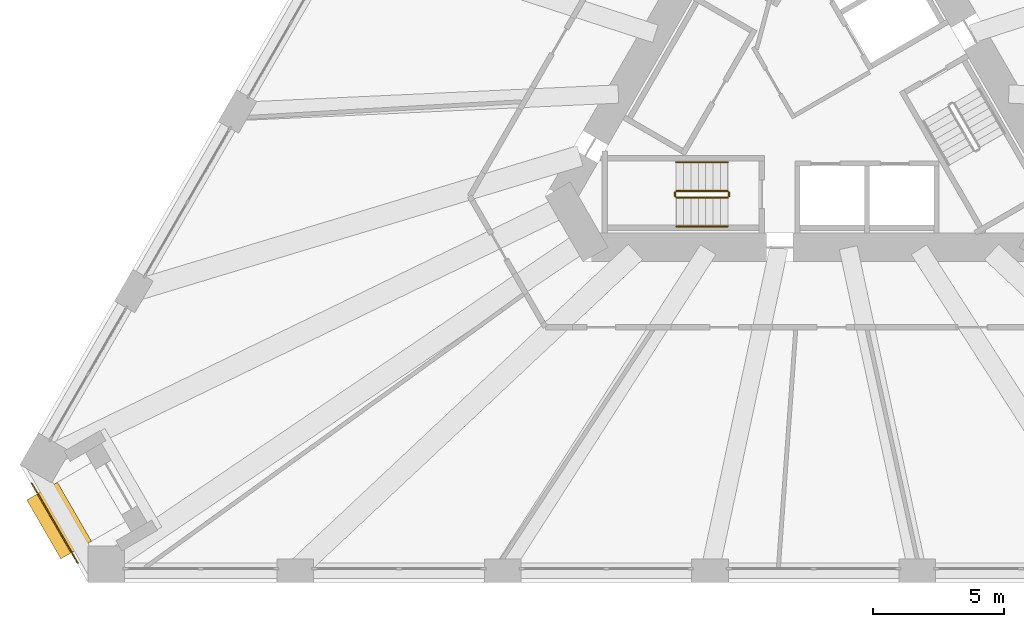
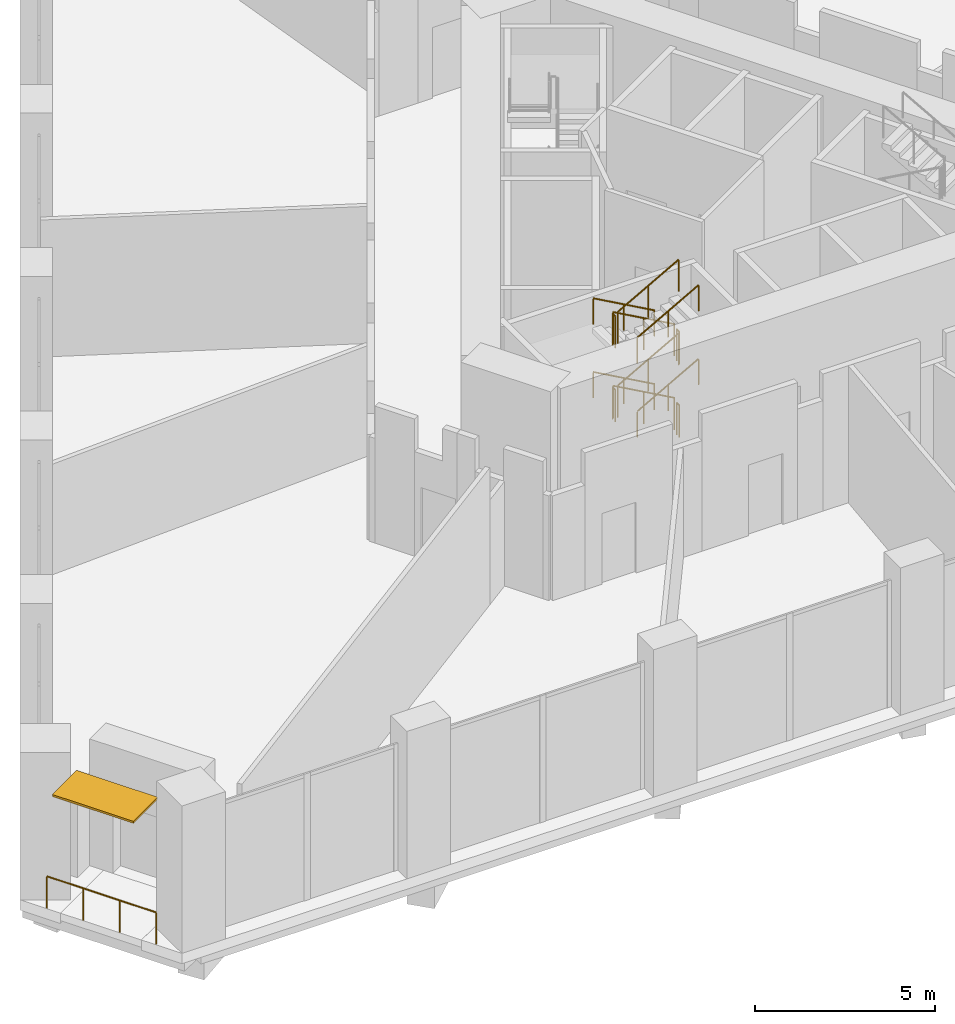
# One storey, part 17 of 20: 13 railings, 1 shading device.
"""IFC4 building model written with IfcOpenShell, lengths in metres."""

from ifc_helpers import new_model, si_unit, direction, frame, origin, origin_2d, place, context, subcontext, project, spatial, rectangle, circle, extrude, material, layer, layer_set, type_object, element, save


model = new_model("IFC4")

# Units and contexts
model_context = context("Model", 3, precision=1e-05, world=origin(), true_north=direction((0.0, 1.0)))
body_context = subcontext(model_context, "Body", "Model", "MODEL_VIEW")
ifc_project = project(units=[si_unit("LENGTHUNIT", "METRE"), si_unit("AREAUNIT", "SQUARE_METRE"), si_unit("VOLUMEUNIT", "CUBIC_METRE"), si_unit("PLANEANGLEUNIT", "RADIAN"), si_unit("MASSUNIT", "GRAM", prefix="KILO")], contexts=[model_context])

# Site, building, storey
site_placement = place(None, origin())
site = spatial("IfcSite", under=ifc_project, at=site_placement, CompositionType="ELEMENT")
building_placement = place(site_placement, origin())
building = spatial("IfcBuilding", under=site, at=building_placement, Name="Tramontana Tower", CompositionType="ELEMENT")
storey_placement = place(building_placement, frame((0.0, 0.0, 20.0)))
storey = spatial("IfcBuildingStorey", under=building, at=storey_placement, Name="L03", CompositionType="ELEMENT", Elevation=20.0)

# Railing
ifc_material_1 = material(Name="Laminated glass balustrade", Category="glass")
railing_type_1 = type_object("IfcRailingType", Name="GD1 Loggia glass balustrade 1100", PredefinedType="BALUSTRADE", material=ifc_material_1)
railing_1_placement = place(storey_placement, frame((-28.11083984375, -18.25048828125, 0.0)))
element("IfcRailing", 1, at=railing_1_placement, inside=storey, type_object=railing_type_1, Name="Corner loggia balustrade L03 K01", PredefinedType="BALUSTRADE", context=body_context, shape_type="SweptSolid", body=[
    extrude(circle(Radius=0.02392578125, at=origin_2d()), frame((0.0, 0.0, 1.076171875), z_axis=(-0.500010275428, 0.866019471182, 0.0), x_axis=(-0.866019471182, -0.500010275428, 0.0)), (0.0, 0.0, 1.0), 3.5),
    extrude(circle(Radius=0.02099609375, at=origin_2d()), origin(), (0.0, 0.0, 1.0), 1.052001953125),
    extrude(circle(Radius=0.02099609375, at=origin_2d()), frame((-0.583251953125, 1.01025390625, 0.0)), (0.0, 0.0, 1.0), 1.052001953125),
    extrude(circle(Radius=0.02099609375, at=origin_2d()), frame((-1.166748046875, 2.020751953125, 0.0)), (0.0, 0.0, 1.0), 1.052001953125),
    extrude(circle(Radius=0.02099609375, at=origin_2d()), frame((-1.75, 3.031005859375, 0.0)), (0.0, 0.0, 1.0), 1.052001953125),
])

# Shading device
ifc_material_2 = material(Name="Precast concrete 60 MPa", Category="concrete")
ifc_layer = layer(ifc_material_2, 0.070068359375)
ifc_layer_set = layer_set([ifc_layer], Name="SS2 Stone sunshade blade 70")
shading_device_type = type_object("IfcShadingDeviceType", Name="SS2 Stone sunshade blade 70", PredefinedType="USERDEFINED", material=ifc_layer_set)
shading_device_placement = place(storey_placement, frame((-28.81689453125, -16.637451171875, 4.22998046875), z_axis=(0.0, 0.0, 1.0), x_axis=(-0.5, 0.866025403784, 0.0)))
element("IfcShadingDevice", 2, at=shading_device_placement, inside=storey, type_object=shading_device_type, Name="Corner sunshade L03 K01", ObjectType="SUNSHADE", PredefinedType="USERDEFINED", context=body_context, shape_type="SweptSolid", body=[
    extrude(rectangle(XDim=2.60009765625, YDim=1.35009765625, at=origin_2d()), origin(), (0.0, 0.0, 1.0), 0.070068359375),
])

# Railings
ifc_material_3 = material(Name="Painted steel", Category="steel")
railing_type_2 = type_object("IfcRailingType", Name="STAIR GUARD 1100", PredefinedType="GUARDRAIL", material=ifc_material_3)
railing_2_placement = place(storey_placement, frame((-3.280029296875, -4.050048828125, 0.15625)))
element("IfcRailing", 3, at=railing_2_placement, inside=storey, type_object=railing_type_2, Name="L03 ST2 stair guard 1", PredefinedType="GUARDRAIL", context=body_context, shape_type="SweptSolid", body=[
    extrude(circle(Radius=0.02392578125, at=origin_2d()), frame((0.0, 0.0, 1.076171875), z_axis=(-0.873232148454, 0.0, 0.487304437602), x_axis=(0.0, -1.0, 0.0)), (0.0, 0.0, 1.0), 2.244384765625),
    extrude(circle(Radius=0.02099609375, at=origin_2d()), origin(), (0.0, 0.0, 1.0), 1.052001953125),
    extrude(circle(Radius=0.02099609375, at=origin_2d()), frame((-0.97998046875, 0.0, 0.546875)), (0.0, 0.0, 1.0), 1.052001953125),
    extrude(circle(Radius=0.02099609375, at=origin_2d()), frame((-1.9599609375, 0.0, 1.09375)), (0.0, 0.0, 1.0), 1.052001953125),
])
railing_3_placement = place(storey_placement, frame((-5.239990234375, -4.300048828125, 1.40625)))
element("IfcRailing", 4, at=railing_3_placement, inside=storey, type_object=railing_type_2, Name="L03 ST2 stair guard 2", PredefinedType="GUARDRAIL", context=body_context, shape_type="SweptSolid", body=[
    extrude(circle(Radius=0.02392578125, at=origin_2d()), frame((0.0, 0.0, 1.076171875), z_axis=(0.873232148454, 0.0, 0.487304437602), x_axis=(0.0, 1.0, 0.0)), (0.0, 0.0, 1.0), 2.244384765625),
    extrude(circle(Radius=0.02099609375, at=origin_2d()), origin(), (0.0, 0.0, 1.0), 1.052001953125),
    extrude(circle(Radius=0.02099609375, at=origin_2d()), frame((0.97998046875, 0.0, 0.546875)), (0.0, 0.0, 1.0), 1.052001953125),
    extrude(circle(Radius=0.02099609375, at=origin_2d()), frame((1.9599609375, 0.0, 1.09375)), (0.0, 0.0, 1.0), 1.052001953125),
])
railing_4_placement = place(storey_placement, frame((-3.280029296875, -4.050048828125, 2.65625)))
element("IfcRailing", 5, at=railing_4_placement, inside=storey, type_object=railing_type_2, Name="L03 ST2 stair guard 3", PredefinedType="GUARDRAIL", context=body_context, shape_type="SweptSolid", body=[
    extrude(circle(Radius=0.02392578125, at=origin_2d()), frame((0.0, 0.0, 1.076171875), z_axis=(-0.873232148454, 0.0, 0.487304437602), x_axis=(0.0, -1.0, 0.0)), (0.0, 0.0, 1.0), 2.244384765625),
    extrude(circle(Radius=0.02099609375, at=origin_2d()), origin(), (0.0, 0.0, 1.0), 1.052001953125),
    extrude(circle(Radius=0.02099609375, at=origin_2d()), frame((-0.97998046875, 0.0, 0.546875)), (0.0, 0.0, 1.0), 1.052001953125),
    extrude(circle(Radius=0.02099609375, at=origin_2d()), frame((-1.9599609375, 0.0, 1.09375)), (0.0, 0.0, 1.0), 1.052001953125),
])
railing_5_placement = place(storey_placement, frame((-5.239990234375, -4.300048828125, 3.90625)))
element("IfcRailing", 6, at=railing_5_placement, inside=storey, type_object=railing_type_2, Name="L03 ST2 stair guard 4", PredefinedType="GUARDRAIL", context=body_context, shape_type="SweptSolid", body=[
    extrude(circle(Radius=0.02392578125, at=origin_2d()), frame((0.0, 0.0, 1.076171875), z_axis=(0.873232148454, 0.0, 0.487304437602), x_axis=(0.0, 1.0, 0.0)), (0.0, 0.0, 1.0), 2.244384765625),
    extrude(circle(Radius=0.02099609375, at=origin_2d()), origin(), (0.0, 0.0, 1.0), 1.052001953125),
    extrude(circle(Radius=0.02099609375, at=origin_2d()), frame((0.97998046875, 0.0, 0.546875)), (0.0, 0.0, 1.0), 1.052001953125),
    extrude(circle(Radius=0.02099609375, at=origin_2d()), frame((1.9599609375, 0.0, 1.09375)), (0.0, 0.0, 1.0), 1.052001953125),
])
for number, where, name in (
    (7, (-5.2900390625, -4.10009765625, 1.25), "L03 ST2 stair guard 5"),
    (8, (-3.22998046875, -4.10009765625, 2.5), "L03 ST2 stair guard 6"),
    (9, (-5.2900390625, -4.10009765625, 3.75), "L03 ST2 stair guard 7"),
    (10, (-3.22998046875, -4.10009765625, 0.0), "L03 ST2 stair guard 8"),
):
    element("IfcRailing", number, at=place(storey_placement, frame(where)), inside=storey, type_object=railing_type_2, Name=name, PredefinedType="GUARDRAIL", context=body_context, shape_type="SweptSolid", body=[
        extrude(circle(Radius=0.02392578125, at=origin_2d()), frame((0.0, 0.0, 1.076171875), z_axis=(0.0, -1.0, 0.0), x_axis=(1.0, 0.0, 0.0)), (0.0, 0.0, 1.0), 0.14990234375),
        extrude(circle(Radius=0.02099609375, at=origin_2d()), origin(), (0.0, 0.0, 1.0), 1.052001953125),
        extrude(circle(Radius=0.02099609375, at=origin_2d()), frame((0.0, -0.14990234375, 0.0)), (0.0, 0.0, 1.0), 1.052001953125),
    ])
ifc_material_4 = material(Name="Painted steel", Category="steel")
railing_type_3 = type_object("IfcRailingType", Name="STAIR HANDRAIL 900", PredefinedType="HANDRAIL", material=ifc_material_4)
railing_6_placement = place(storey_placement, frame((-3.280029296875, -2.949951171875, 0.15625)))
element("IfcRailing", 11, at=railing_6_placement, inside=storey, type_object=railing_type_3, Name="L03 ST2 stair handrail 1", PredefinedType="HANDRAIL", context=body_context, shape_type="SweptSolid", body=[
    extrude(circle(Radius=0.02392578125, at=origin_2d()), frame((0.0, 0.0, 0.8759765625), z_axis=(-0.873232148454, 0.0, 0.487304437602), x_axis=(0.0, -1.0, 0.0)), (0.0, 0.0, 1.0), 2.244384765625),
    extrude(circle(Radius=0.02099609375, at=origin_2d()), origin(), (0.0, 0.0, 1.0), 0.851806640625),
    extrude(circle(Radius=0.02099609375, at=origin_2d()), frame((-0.97998046875, 0.0, 0.546875)), (0.0, 0.0, 1.0), 0.851806640625),
    extrude(circle(Radius=0.02099609375, at=origin_2d()), frame((-1.9599609375, 0.0, 1.09375)), (0.0, 0.0, 1.0), 0.851806640625),
])
railing_7_placement = place(storey_placement, frame((-5.239990234375, -5.39990234375, 1.40625)))
element("IfcRailing", 12, at=railing_7_placement, inside=storey, type_object=railing_type_3, Name="L03 ST2 stair handrail 2", PredefinedType="HANDRAIL", context=body_context, shape_type="SweptSolid", body=[
    extrude(circle(Radius=0.02392578125, at=origin_2d()), frame((0.0, 0.0, 0.8759765625), z_axis=(0.873232148454, 0.0, 0.487304437602), x_axis=(0.0, 1.0, 0.0)), (0.0, 0.0, 1.0), 2.244384765625),
    extrude(circle(Radius=0.02099609375, at=origin_2d()), origin(), (0.0, 0.0, 1.0), 0.851806640625),
    extrude(circle(Radius=0.02099609375, at=origin_2d()), frame((0.97998046875, 0.0, 0.546875)), (0.0, 0.0, 1.0), 0.851806640625),
    extrude(circle(Radius=0.02099609375, at=origin_2d()), frame((1.9599609375, 0.0, 1.09375)), (0.0, 0.0, 1.0), 0.851806640625),
])
railing_8_placement = place(storey_placement, frame((-3.280029296875, -2.949951171875, 2.65625)))
element("IfcRailing", 13, at=railing_8_placement, inside=storey, type_object=railing_type_3, Name="L03 ST2 stair handrail 3", PredefinedType="HANDRAIL", context=body_context, shape_type="SweptSolid", body=[
    extrude(circle(Radius=0.02392578125, at=origin_2d()), frame((0.0, 0.0, 0.8759765625), z_axis=(-0.873232148454, 0.0, 0.487304437602), x_axis=(0.0, -1.0, 0.0)), (0.0, 0.0, 1.0), 2.244384765625),
    extrude(circle(Radius=0.02099609375, at=origin_2d()), origin(), (0.0, 0.0, 1.0), 0.851806640625),
    extrude(circle(Radius=0.02099609375, at=origin_2d()), frame((-0.97998046875, 0.0, 0.546875)), (0.0, 0.0, 1.0), 0.851806640625),
    extrude(circle(Radius=0.02099609375, at=origin_2d()), frame((-1.9599609375, 0.0, 1.09375)), (0.0, 0.0, 1.0), 0.851806640625),
])
railing_9_placement = place(storey_placement, frame((-5.239990234375, -5.39990234375, 3.90625)))
element("IfcRailing", 14, at=railing_9_placement, inside=storey, type_object=railing_type_3, Name="L03 ST2 stair handrail 4", PredefinedType="HANDRAIL", context=body_context, shape_type="SweptSolid", body=[
    extrude(circle(Radius=0.02392578125, at=origin_2d()), frame((0.0, 0.0, 0.8759765625), z_axis=(0.873232148454, 0.0, 0.487304437602), x_axis=(0.0, 1.0, 0.0)), (0.0, 0.0, 1.0), 2.244384765625),
    extrude(circle(Radius=0.02099609375, at=origin_2d()), origin(), (0.0, 0.0, 1.0), 0.851806640625),
    extrude(circle(Radius=0.02099609375, at=origin_2d()), frame((0.97998046875, 0.0, 0.546875)), (0.0, 0.0, 1.0), 0.851806640625),
    extrude(circle(Radius=0.02099609375, at=origin_2d()), frame((1.9599609375, 0.0, 1.09375)), (0.0, 0.0, 1.0), 0.851806640625),
])

save(model, "model.ifc")
